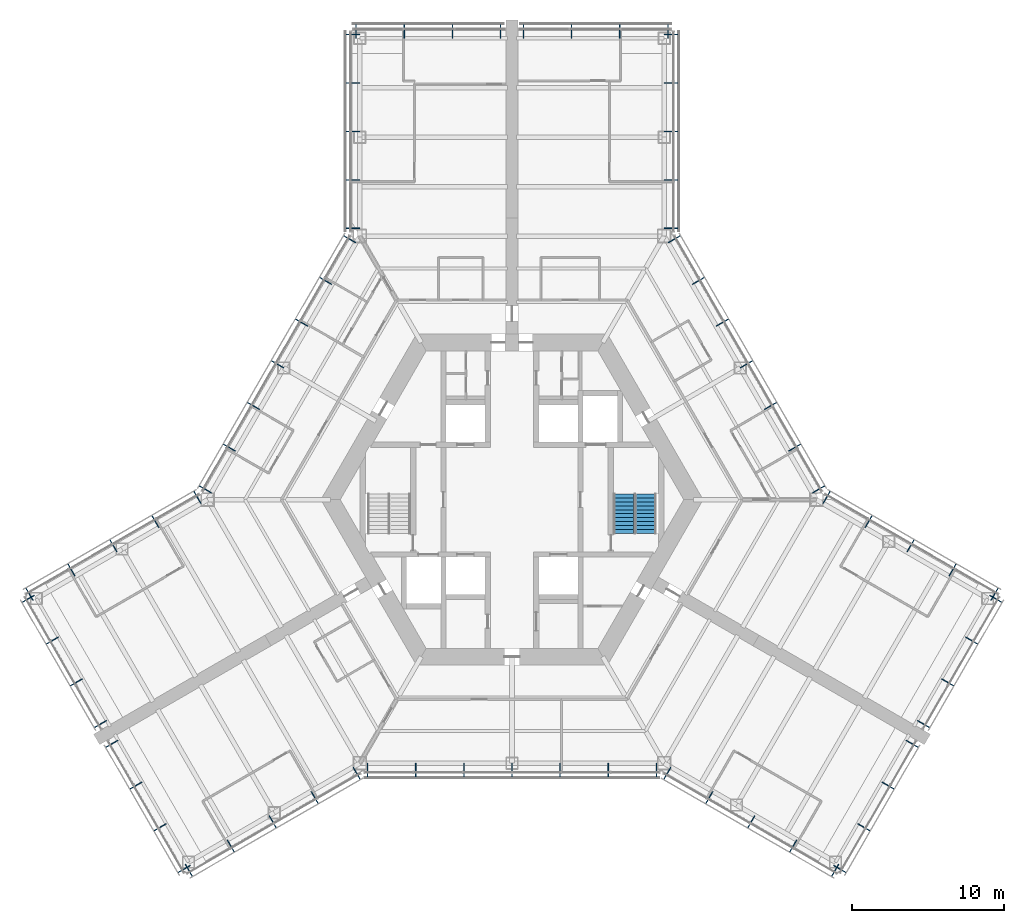
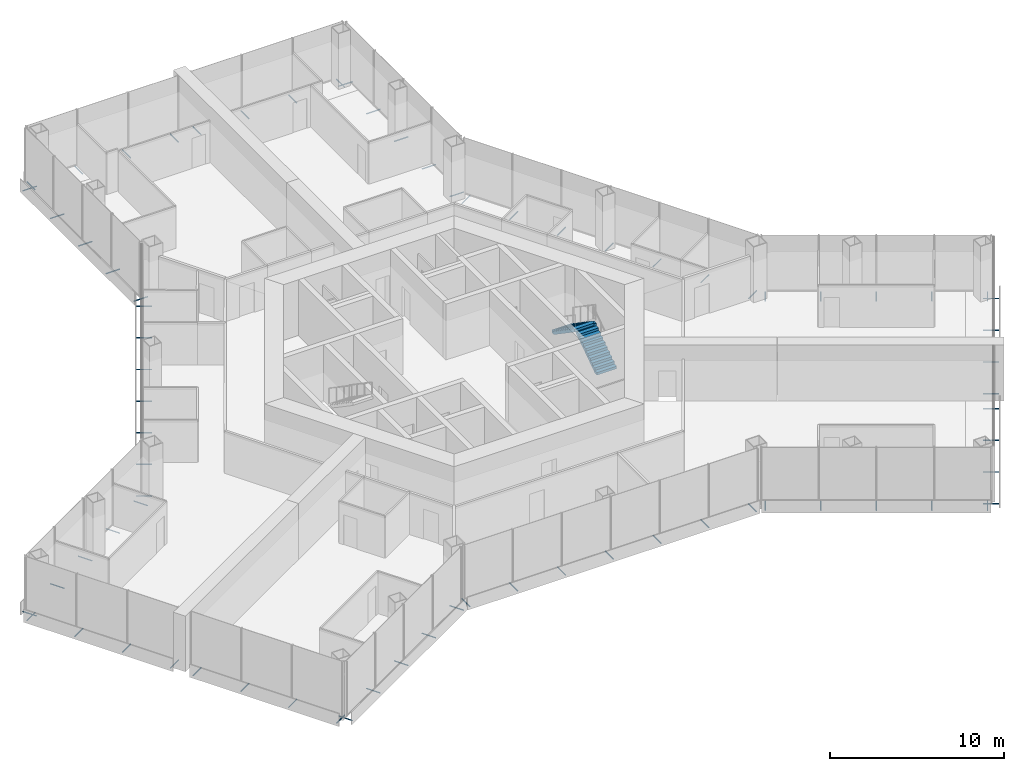
# One storey, part 16 of 18: 75 discrete accessories, 2 stair flights, 1 element without a shape of its own.
"""IFC4 building model written with IfcOpenShell, lengths in metres."""

from ifc_helpers import new_model, si_unit, direction, frame, origin, origin_2d, place, context, subcontext, project, spatial, polyline, hollow_circle, outline, extrude, material, material_profile, profile_set, type_object, element, aggregate, save


model = new_model("IFC4")

# Units and contexts
model_context = context("Model", 3, precision=1e-05, world=origin(), true_north=direction((0.0, 1.0)))
body_context = subcontext(model_context, "Body", "Model", "MODEL_VIEW")
ifc_project = project(units=[si_unit("LENGTHUNIT", "METRE"), si_unit("AREAUNIT", "SQUARE_METRE"), si_unit("VOLUMEUNIT", "CUBIC_METRE"), si_unit("PLANEANGLEUNIT", "RADIAN"), si_unit("MASSUNIT", "GRAM", prefix="KILO")], contexts=[model_context])

# Site, building, storey
site_placement = place(None, origin())
site = spatial("IfcSite", under=ifc_project, at=site_placement, CompositionType="ELEMENT")
building_placement = place(site_placement, origin())
building = spatial("IfcBuilding", under=site, at=building_placement, Name="Kasaneha Research Tower", CompositionType="ELEMENT")
storey_placement = place(building_placement, frame((0.0, 0.0, 65.10009765625)))
storey = spatial("IfcBuildingStorey", under=building, at=storey_placement, Name="L16", CompositionType="ELEMENT", Elevation=65.10009765625)

# Stair, stair flights
ifc_material_1 = material(Name="Concrete Fc24", Category="concrete")
stair_type = type_object("IfcStairType", Name="Half-turn stair 22 risers", PredefinedType="HALF_TURN_STAIR", material=ifc_material_1)
stair_placement = place(storey_placement, origin())
stair = element("IfcStair", 1, at=stair_placement, inside=storey, type_object=stair_type, Name="Stair 1 L16", PredefinedType="HALF_TURN_STAIR")
ifc_material_2 = material(Name="Concrete Fc24", Category="concrete")
stair_flight_type = type_object("IfcStairFlightType", Name="Stair flight 11 risers 177.3", PredefinedType="STRAIGHT", material=ifc_material_2)
stair_flight_1_placement = place(storey_placement, frame((8.824951171875, -2.22509765625, 0.0), z_axis=(0.0, 0.0, 1.0), x_axis=(0.0, 1.0, 0.0)))
stair_flight_1 = element("IfcStairFlight", 2, at=stair_flight_1_placement, type_object=stair_flight_type, Name="ST1-22R flight 1", NumberOfRisers=11, NumberOfTreads=10, PredefinedType="STRAIGHT", RiserHeight=0.177272727, TreadLength=0.26, context=body_context, shape_type="SweptSolid", body=[
    extrude(outline(polyline([(0.0, 0.0), (0.0, 0.17724609375), (0.260009765625, 0.17724609375), (0.260009765625, 0.3544921875), (0.52001953125, 0.3544921875), (0.52001953125, 0.53173828125), (0.780029296875, 0.53173828125), (0.780029296875, 0.708984375), (1.0400390625, 0.708984375), (1.0400390625, 0.886474609375), (1.300048828125, 0.886474609375), (1.300048828125, 1.063720703125), (1.56005859375, 1.063720703125), (1.56005859375, 1.240966796875), (1.820068359375, 1.240966796875), (1.820068359375, 1.418212890625), (2.080078125, 1.418212890625), (2.080078125, 1.595458984375), (2.340087890625, 1.595458984375), (2.340087890625, 1.772705078125), (2.60009765625, 1.772705078125), (2.60009765625, 1.949951171875), (2.60009765625, 1.59130859375), (0.26611328125, 0.0), (0.0, 0.0)])), frame((0.0, 0.64990234375, 0.0), z_axis=(0.0, -1.0, 0.0), x_axis=(1.0, 0.0, 0.0)), (0.0, 0.0, 1.0), 1.300048828125),
])
stair_flight_2_placement = place(storey_placement, frame((7.324951171875, 0.375, 1.949951171875), z_axis=(0.0, 0.0, 1.0), x_axis=(0.0, -1.0, 0.0)))
stair_flight_2 = element("IfcStairFlight", 3, at=stair_flight_2_placement, type_object=stair_flight_type, Name="ST1-22R flight 2", NumberOfRisers=11, NumberOfTreads=10, PredefinedType="STRAIGHT", RiserHeight=0.177272727, TreadLength=0.26, context=body_context, shape_type="SweptSolid", body=[
    extrude(outline(polyline([(0.0, 0.0), (0.0, 0.17724609375), (0.260009765625, 0.17724609375), (0.260009765625, 0.3544921875), (0.52001953125, 0.3544921875), (0.52001953125, 0.53173828125), (0.780029296875, 0.53173828125), (0.780029296875, 0.708984375), (1.0400390625, 0.708984375), (1.0400390625, 0.886474609375), (1.300048828125, 0.886474609375), (1.300048828125, 1.063720703125), (1.56005859375, 1.063720703125), (1.56005859375, 1.240966796875), (1.820068359375, 1.240966796875), (1.820068359375, 1.418212890625), (2.080078125, 1.418212890625), (2.080078125, 1.595458984375), (2.340087890625, 1.595458984375), (2.340087890625, 1.772705078125), (2.60009765625, 1.772705078125), (2.60009765625, 1.949951171875), (2.60009765625, 1.59130859375), (0.26611328125, 0.0), (0.0, 0.0)])), frame((0.0, 0.64990234375, 0.0), z_axis=(0.0, -1.0, 0.0), x_axis=(1.0, 0.0, 0.0)), (0.0, 0.0, 1.0), 1.300048828125),
])
aggregate(stair, [stair_flight_1, stair_flight_2])

# Discrete accessories
ifc_material_3 = material(Name="Steel STK400", Category="steel")
ifc_material_profile = material_profile(ifc_material_3, hollow_circle(Radius=0.0380859375, WallThickness=0.00390625, at=origin_2d()), Name="CHS-76.3x4.0")
ifc_profile_set = profile_set([ifc_material_profile], Name="Steel STK400")
discrete_accessory_type = type_object("IfcDiscreteAccessoryType", Name="Screen bracket CHS-76.3x4.0", PredefinedType="BRACKET", material=ifc_profile_set)
discrete_accessory_1_placement = place(storey_placement, frame((-21.474853515625, -23.945556640625, -0.300048828125), z_axis=(0.500021113727, -0.866013213425, 0.0), x_axis=(0.866013213425, 0.500021113727, 0.0)))
element("IfcDiscreteAccessory", 4, at=discrete_accessory_1_placement, inside=storey, type_object=discrete_accessory_type, Name="Screen bracket 1", PredefinedType="BRACKET", context=body_context, shape_type="SweptSolid", body=[
    extrude(hollow_circle(Radius=0.0380859375, WallThickness=0.00390625, at=origin_2d()), origin(), (0.0, 0.0, 1.0), 0.919921875),
])
discrete_accessory_2_placement = place(storey_placement, frame((-18.716796875, -22.35302734375, -0.300048828125), z_axis=(0.500105201737, -0.865964657013, 0.0), x_axis=(0.865964657013, 0.500105201737, 0.0)))
element("IfcDiscreteAccessory", 5, at=discrete_accessory_2_placement, inside=storey, type_object=discrete_accessory_type, Name="Screen bracket 2", PredefinedType="BRACKET", context=body_context, shape_type="SweptSolid", body=[
    extrude(hollow_circle(Radius=0.0380859375, WallThickness=0.00390625, at=origin_2d()), origin(), (0.0, 0.0, 1.0), 0.920166015625),
])
discrete_accessory_3_placement = place(storey_placement, frame((-15.95849609375, -20.7607421875, -0.300048828125), z_axis=(0.500021113727, -0.866013213425, 0.0), x_axis=(0.866013213425, 0.500021113727, 0.0)))
element("IfcDiscreteAccessory", 6, at=discrete_accessory_3_placement, inside=storey, type_object=discrete_accessory_type, Name="Screen bracket 3", PredefinedType="BRACKET", context=body_context, shape_type="SweptSolid", body=[
    extrude(hollow_circle(Radius=0.0380859375, WallThickness=0.00390625, at=origin_2d()), origin(), (0.0, 0.0, 1.0), 0.919921875),
])
discrete_accessory_4_placement = place(storey_placement, frame((-13.200439453125, -19.168212890625, -0.300048828125), z_axis=(0.499906209203, -0.866079547155, 0.0), x_axis=(0.866079547155, 0.499906209203, 0.0)))
element("IfcDiscreteAccessory", 7, at=discrete_accessory_4_placement, inside=storey, type_object=discrete_accessory_type, Name="Screen bracket 4", PredefinedType="BRACKET", context=body_context, shape_type="SweptSolid", body=[
    extrude(hollow_circle(Radius=0.0380859375, WallThickness=0.00390625, at=origin_2d()), origin(), (0.0, 0.0, 1.0), 0.920166015625),
])
for number, where, z_axis, x_axis, name in (
    (8, (-10.4423828125, -17.575927734375, -0.300048828125), (0.500021113727, -0.866013213425, 0.0), (0.866013213425, 0.500021113727, 0.0), "Screen bracket 5"),
    (9, (-9.4892578125, -17.320556640625, -0.300048828125), (0.0, -1.0, 0.0), (1.0, 0.0, 0.0), "Screen bracket 1"),
    (10, (-6.326171875, -17.320556640625, -0.300048828125), (0.0, -1.0, 0.0), (1.0, 0.0, 0.0), "Screen bracket 2"),
    (11, (-3.1630859375, -17.320556640625, -0.300048828125), (0.0, -1.0, 0.0), (1.0, 0.0, 0.0), "Screen bracket 3"),
    (12, (0.0, -17.320556640625, -0.300048828125), (0.0, -1.0, 0.0), (1.0, 0.0, 0.0), "Screen bracket 4"),
    (13, (3.1630859375, -17.320556640625, -0.300048828125), (0.0, -1.0, 0.0), (1.0, 0.0, 0.0), "Screen bracket 5"),
    (14, (6.326171875, -17.320556640625, -0.300048828125), (0.0, -1.0, 0.0), (1.0, 0.0, 0.0), "Screen bracket 6"),
    (15, (9.4892578125, -17.320556640625, -0.300048828125), (0.0, -1.0, 0.0), (1.0, 0.0, 0.0), "Screen bracket 7"),
    (16, (10.4423828125, -17.575927734375, -0.300048828125), (-0.500021113727, -0.866013213425, 0.0), (0.866013213425, -0.500021113727, 0.0), "Screen bracket 1"),
):
    element("IfcDiscreteAccessory", number, at=place(storey_placement, frame(where, z_axis=z_axis, x_axis=x_axis)), inside=storey, type_object=discrete_accessory_type, Name=name, PredefinedType="BRACKET", context=body_context, shape_type="SweptSolid", body=[
        extrude(hollow_circle(Radius=0.0380859375, WallThickness=0.00390625, at=origin_2d()), origin(), (0.0, 0.0, 1.0), 0.919921875),
    ])
discrete_accessory_5_placement = place(storey_placement, frame((13.200439453125, -19.168212890625, -0.300048828125), z_axis=(-0.499906209203, -0.866079547155, 0.0), x_axis=(0.866079547155, -0.499906209203, 0.0)))
element("IfcDiscreteAccessory", 17, at=discrete_accessory_5_placement, inside=storey, type_object=discrete_accessory_type, Name="Screen bracket 2", PredefinedType="BRACKET", context=body_context, shape_type="SweptSolid", body=[
    extrude(hollow_circle(Radius=0.0380859375, WallThickness=0.00390625, at=origin_2d()), origin(), (0.0, 0.0, 1.0), 0.920166015625),
])
discrete_accessory_6_placement = place(storey_placement, frame((15.95849609375, -20.7607421875, -0.300048828125), z_axis=(-0.500021113727, -0.866013213425, 0.0), x_axis=(0.866013213425, -0.500021113727, 0.0)))
element("IfcDiscreteAccessory", 18, at=discrete_accessory_6_placement, inside=storey, type_object=discrete_accessory_type, Name="Screen bracket 3", PredefinedType="BRACKET", context=body_context, shape_type="SweptSolid", body=[
    extrude(hollow_circle(Radius=0.0380859375, WallThickness=0.00390625, at=origin_2d()), origin(), (0.0, 0.0, 1.0), 0.919921875),
])
discrete_accessory_7_placement = place(storey_placement, frame((18.716796875, -22.35302734375, -0.300048828125), z_axis=(-0.500105201737, -0.865964657013, 0.0), x_axis=(0.865964657013, -0.500105201737, 0.0)))
element("IfcDiscreteAccessory", 19, at=discrete_accessory_7_placement, inside=storey, type_object=discrete_accessory_type, Name="Screen bracket 4", PredefinedType="BRACKET", context=body_context, shape_type="SweptSolid", body=[
    extrude(hollow_circle(Radius=0.0380859375, WallThickness=0.00390625, at=origin_2d()), origin(), (0.0, 0.0, 1.0), 0.920166015625),
])
discrete_accessory_8_placement = place(storey_placement, frame((21.474853515625, -23.945556640625, -0.300048828125), z_axis=(-0.500021113727, -0.866013213425, 0.0), x_axis=(0.866013213425, -0.500021113727, 0.0)))
element("IfcDiscreteAccessory", 20, at=discrete_accessory_8_placement, inside=storey, type_object=discrete_accessory_type, Name="Screen bracket 5", PredefinedType="BRACKET", context=body_context, shape_type="SweptSolid", body=[
    extrude(hollow_circle(Radius=0.0380859375, WallThickness=0.00390625, at=origin_2d()), origin(), (0.0, 0.0, 1.0), 0.919921875),
])
for number, where, z_axis, x_axis, name in (
    (21, (21.13330078125, -24.037109375, -0.300048828125), (0.866079547155, -0.499906209203, 0.0), (0.499906209203, 0.866079547155, 0.0), "Screen bracket 1"),
    (22, (22.716552734375, -21.294677734375, -0.300048828125), (0.866079547155, -0.499906209203, 0.0), (0.499906209203, 0.866079547155, 0.0), "Screen bracket 2"),
):
    element("IfcDiscreteAccessory", number, at=place(storey_placement, frame(where, z_axis=z_axis, x_axis=x_axis)), inside=storey, type_object=discrete_accessory_type, Name=name, PredefinedType="BRACKET", context=body_context, shape_type="SweptSolid", body=[
        extrude(hollow_circle(Radius=0.0380859375, WallThickness=0.00390625, at=origin_2d()), origin(), (0.0, 0.0, 1.0), 0.920166015625),
    ])
discrete_accessory_9_placement = place(storey_placement, frame((24.300048828125, -18.55224609375, -0.300048828125), z_axis=(0.866013213425, -0.500021113727, 0.0), x_axis=(0.500021113727, 0.866013213425, 0.0)))
element("IfcDiscreteAccessory", 23, at=discrete_accessory_9_placement, inside=storey, type_object=discrete_accessory_type, Name="Screen bracket 3", PredefinedType="BRACKET", context=body_context, shape_type="SweptSolid", body=[
    extrude(hollow_circle(Radius=0.0380859375, WallThickness=0.00390625, at=origin_2d()), origin(), (0.0, 0.0, 1.0), 0.919921875),
])
for number, where, z_axis, x_axis, name in (
    (24, (25.88330078125, -15.809814453125, -0.300048828125), (0.866079547155, -0.499906209203, 0.0), (0.499906209203, 0.866079547155, 0.0), "Screen bracket 4"),
    (25, (26.63330078125, -14.5107421875, -0.300048828125), (0.866079547155, -0.499906209203, 0.0), (0.499906209203, 0.866079547155, 0.0), "Screen bracket 1"),
    (26, (28.216552734375, -11.768310546875, -0.300048828125), (0.866079547155, -0.499906209203, 0.0), (0.499906209203, 0.866079547155, 0.0), "Screen bracket 2"),
):
    element("IfcDiscreteAccessory", number, at=place(storey_placement, frame(where, z_axis=z_axis, x_axis=x_axis)), inside=storey, type_object=discrete_accessory_type, Name=name, PredefinedType="BRACKET", context=body_context, shape_type="SweptSolid", body=[
        extrude(hollow_circle(Radius=0.0380859375, WallThickness=0.00390625, at=origin_2d()), origin(), (0.0, 0.0, 1.0), 0.920166015625),
    ])
discrete_accessory_10_placement = place(storey_placement, frame((29.800048828125, -9.02587890625, -0.300048828125), z_axis=(0.866013213425, -0.500021113727, 0.0), x_axis=(0.500021113727, 0.866013213425, 0.0)))
element("IfcDiscreteAccessory", 27, at=discrete_accessory_10_placement, inside=storey, type_object=discrete_accessory_type, Name="Screen bracket 3", PredefinedType="BRACKET", context=body_context, shape_type="SweptSolid", body=[
    extrude(hollow_circle(Radius=0.0380859375, WallThickness=0.00390625, at=origin_2d()), origin(), (0.0, 0.0, 1.0), 0.919921875),
])
discrete_accessory_11_placement = place(storey_placement, frame((31.38330078125, -6.283447265625, -0.300048828125), z_axis=(0.866079547155, -0.499906209203, 0.0), x_axis=(0.499906209203, 0.866079547155, 0.0)))
element("IfcDiscreteAccessory", 28, at=discrete_accessory_11_placement, inside=storey, type_object=discrete_accessory_type, Name="Screen bracket 4", PredefinedType="BRACKET", context=body_context, shape_type="SweptSolid", body=[
    extrude(hollow_circle(Radius=0.0380859375, WallThickness=0.00390625, at=origin_2d()), origin(), (0.0, 0.0, 1.0), 0.920166015625),
])
discrete_accessory_12_placement = place(storey_placement, frame((31.474853515625, -6.625, -0.300048828125), z_axis=(0.500021113727, 0.866013213425, 0.0), x_axis=(-0.866013213425, 0.500021113727, 0.0)))
element("IfcDiscreteAccessory", 29, at=discrete_accessory_12_placement, inside=storey, type_object=discrete_accessory_type, Name="Screen bracket 1", PredefinedType="BRACKET", context=body_context, shape_type="SweptSolid", body=[
    extrude(hollow_circle(Radius=0.0380859375, WallThickness=0.00390625, at=origin_2d()), origin(), (0.0, 0.0, 1.0), 0.919921875),
])
discrete_accessory_13_placement = place(storey_placement, frame((28.716796875, -5.03271484375, -0.300048828125), z_axis=(0.499906209203, 0.866079547155, 0.0), x_axis=(-0.866079547155, 0.499906209203, 0.0)))
element("IfcDiscreteAccessory", 30, at=discrete_accessory_13_placement, inside=storey, type_object=discrete_accessory_type, Name="Screen bracket 2", PredefinedType="BRACKET", context=body_context, shape_type="SweptSolid", body=[
    extrude(hollow_circle(Radius=0.0380859375, WallThickness=0.00390625, at=origin_2d()), origin(), (0.0, 0.0, 1.0), 0.920166015625),
])
discrete_accessory_14_placement = place(storey_placement, frame((25.95849609375, -3.440185546875, -0.300048828125), z_axis=(0.500220121494, 0.865898279276, 0.0), x_axis=(-0.865898279276, 0.500220121494, 0.0)))
element("IfcDiscreteAccessory", 31, at=discrete_accessory_14_placement, inside=storey, type_object=discrete_accessory_type, Name="Screen bracket 3", PredefinedType="BRACKET", context=body_context, shape_type="SweptSolid", body=[
    extrude(hollow_circle(Radius=0.0380859375, WallThickness=0.00390625, at=origin_2d()), origin(), (0.0, 0.0, 1.0), 0.919921875),
])
discrete_accessory_15_placement = place(storey_placement, frame((23.200439453125, -1.847900390625, -0.300048828125), z_axis=(0.499906209203, 0.866079547155, 0.0), x_axis=(-0.866079547155, 0.499906209203, 0.0)))
element("IfcDiscreteAccessory", 32, at=discrete_accessory_15_placement, inside=storey, type_object=discrete_accessory_type, Name="Screen bracket 4", PredefinedType="BRACKET", context=body_context, shape_type="SweptSolid", body=[
    extrude(hollow_circle(Radius=0.0380859375, WallThickness=0.00390625, at=origin_2d()), origin(), (0.0, 0.0, 1.0), 0.920166015625),
])
for number, where, z_axis, x_axis, name in (
    (33, (20.4423828125, -0.25537109375, -0.300048828125), (0.500021113727, 0.866013213425, 0.0), (-0.866013213425, 0.500021113727, 0.0), "Screen bracket 5"),
    (34, (19.74462890625, 0.4423828125, -0.300048828125), (0.866013213425, 0.500021113727, 0.0), (-0.500021113727, 0.866013213425, 0.0), "Screen bracket 1"),
    (35, (18.1630859375, 3.181640625, -0.300048828125), (0.866013213425, 0.500021113727, 0.0), (-0.500021113727, 0.866013213425, 0.0), "Screen bracket 2"),
    (36, (16.58154296875, 5.9208984375, -0.300048828125), (0.866013213425, 0.500021113727, 0.0), (-0.500021113727, 0.866013213425, 0.0), "Screen bracket 3"),
    (37, (15.0, 8.66015625, -0.300048828125), (0.865898279276, 0.500220121494, 0.0), (-0.500220121494, 0.865898279276, 0.0), "Screen bracket 4"),
    (38, (13.41845703125, 11.399658203125, -0.300048828125), (0.866013213425, 0.500021113727, 0.0), (-0.500021113727, 0.866013213425, 0.0), "Screen bracket 5"),
    (39, (11.8369140625, 14.138916015625, -0.300048828125), (0.866013213425, 0.500021113727, 0.0), (-0.500021113727, 0.866013213425, 0.0), "Screen bracket 6"),
):
    element("IfcDiscreteAccessory", number, at=place(storey_placement, frame(where, z_axis=z_axis, x_axis=x_axis)), inside=storey, type_object=discrete_accessory_type, Name=name, PredefinedType="BRACKET", context=body_context, shape_type="SweptSolid", body=[
        extrude(hollow_circle(Radius=0.0380859375, WallThickness=0.00390625, at=origin_2d()), origin(), (0.0, 0.0, 1.0), 0.919921875),
    ])
discrete_accessory_16_placement = place(storey_placement, frame((10.25537109375, 16.878173828125, -0.300048828125), z_axis=(0.866079547155, 0.499906209203, 0.0), x_axis=(-0.499906209203, 0.866079547155, 0.0)))
element("IfcDiscreteAccessory", 40, at=discrete_accessory_16_placement, inside=storey, type_object=discrete_accessory_type, Name="Screen bracket 7", PredefinedType="BRACKET", context=body_context, shape_type="SweptSolid", body=[
    extrude(hollow_circle(Radius=0.0380859375, WallThickness=0.00390625, at=origin_2d()), origin(), (0.0, 0.0, 1.0), 0.920166015625),
])
for number, where, z_axis, x_axis, name in (
    (41, (10.0, 17.831298828125, -0.300048828125), (1.0, 0.0, 0.0), (0.0, 1.0, 0.0), "Screen bracket 1"),
    (42, (10.0, 21.01611328125, -0.300048828125), (1.0, 0.0, 0.0), (0.0, 1.0, 0.0), "Screen bracket 2"),
    (43, (10.0, 24.200927734375, -0.300048828125), (1.0, 0.0, 0.0), (0.0, 1.0, 0.0), "Screen bracket 3"),
    (44, (10.0, 27.3857421875, -0.300048828125), (1.0, 0.0, 0.0), (0.0, 1.0, 0.0), "Screen bracket 4"),
    (45, (10.0, 30.570556640625, -0.300048828125), (1.0, 0.0, 0.0), (0.0, 1.0, 0.0), "Screen bracket 5"),
    (46, (10.25, 30.320556640625, -0.300048828125), (0.0, 1.0, 0.0), (-1.0, 0.0, 0.0), "Screen bracket 1"),
    (47, (7.083251953125, 30.320556640625, -0.300048828125), (0.0, 1.0, 0.0), (-1.0, 0.0, 0.0), "Screen bracket 2"),
    (48, (3.916748046875, 30.320556640625, -0.300048828125), (0.0, 1.0, 0.0), (-1.0, 0.0, 0.0), "Screen bracket 3"),
    (49, (0.75, 30.320556640625, -0.300048828125), (0.0, 1.0, 0.0), (-1.0, 0.0, 0.0), "Screen bracket 4"),
    (50, (-0.75, 30.320556640625, -0.300048828125), (0.0, 1.0, 0.0), (-1.0, 0.0, 0.0), "Screen bracket 1"),
    (51, (-3.916748046875, 30.320556640625, -0.300048828125), (0.0, 1.0, 0.0), (-1.0, 0.0, 0.0), "Screen bracket 2"),
    (52, (-7.083251953125, 30.320556640625, -0.300048828125), (0.0, 1.0, 0.0), (-1.0, 0.0, 0.0), "Screen bracket 3"),
    (53, (-10.25, 30.320556640625, -0.300048828125), (0.0, 1.0, 0.0), (-1.0, 0.0, 0.0), "Screen bracket 4"),
    (54, (-10.0, 30.570556640625, -0.300048828125), (-1.0, 0.0, 0.0), (0.0, -1.0, 0.0), "Screen bracket 1"),
    (55, (-10.0, 27.3857421875, -0.300048828125), (-1.0, 0.0, 0.0), (0.0, -1.0, 0.0), "Screen bracket 2"),
    (56, (-10.0, 24.200927734375, -0.300048828125), (-1.0, 0.0, 0.0), (0.0, -1.0, 0.0), "Screen bracket 3"),
    (57, (-10.0, 21.01611328125, -0.300048828125), (-1.0, 0.0, 0.0), (0.0, -1.0, 0.0), "Screen bracket 4"),
    (58, (-10.0, 17.831298828125, -0.300048828125), (-1.0, 0.0, 0.0), (0.0, -1.0, 0.0), "Screen bracket 5"),
):
    element("IfcDiscreteAccessory", number, at=place(storey_placement, frame(where, z_axis=z_axis, x_axis=x_axis)), inside=storey, type_object=discrete_accessory_type, Name=name, PredefinedType="BRACKET", context=body_context, shape_type="SweptSolid", body=[
        extrude(hollow_circle(Radius=0.0380859375, WallThickness=0.00390625, at=origin_2d()), origin(), (0.0, 0.0, 1.0), 0.919921875),
    ])
discrete_accessory_17_placement = place(storey_placement, frame((-10.25537109375, 16.878173828125, -0.300048828125), z_axis=(-0.866079547155, 0.499906209203, 0.0), x_axis=(-0.499906209203, -0.866079547155, 0.0)))
element("IfcDiscreteAccessory", 59, at=discrete_accessory_17_placement, inside=storey, type_object=discrete_accessory_type, Name="Screen bracket 1", PredefinedType="BRACKET", context=body_context, shape_type="SweptSolid", body=[
    extrude(hollow_circle(Radius=0.0380859375, WallThickness=0.00390625, at=origin_2d()), origin(), (0.0, 0.0, 1.0), 0.920166015625),
])
for number, where, z_axis, x_axis, name in (
    (60, (-11.8369140625, 14.138916015625, -0.300048828125), (-0.866013213425, 0.500021113727, 0.0), (-0.500021113727, -0.866013213425, 0.0), "Screen bracket 2"),
    (61, (-13.41845703125, 11.399658203125, -0.300048828125), (-0.866013213425, 0.500021113727, 0.0), (-0.500021113727, -0.866013213425, 0.0), "Screen bracket 3"),
    (62, (-15.0, 8.66015625, -0.300048828125), (-0.865898279276, 0.500220121494, 0.0), (-0.500220121494, -0.865898279276, 0.0), "Screen bracket 4"),
    (63, (-16.58154296875, 5.9208984375, -0.300048828125), (-0.866013213425, 0.500021113727, 0.0), (-0.500021113727, -0.866013213425, 0.0), "Screen bracket 5"),
    (64, (-18.1630859375, 3.181640625, -0.300048828125), (-0.866013213425, 0.500021113727, 0.0), (-0.500021113727, -0.866013213425, 0.0), "Screen bracket 6"),
    (65, (-19.74462890625, 0.4423828125, -0.300048828125), (-0.866013213425, 0.500021113727, 0.0), (-0.500021113727, -0.866013213425, 0.0), "Screen bracket 7"),
    (66, (-20.4423828125, -0.25537109375, -0.300048828125), (-0.500021113727, 0.866013213425, 0.0), (-0.866013213425, -0.500021113727, 0.0), "Screen bracket 1"),
):
    element("IfcDiscreteAccessory", number, at=place(storey_placement, frame(where, z_axis=z_axis, x_axis=x_axis)), inside=storey, type_object=discrete_accessory_type, Name=name, PredefinedType="BRACKET", context=body_context, shape_type="SweptSolid", body=[
        extrude(hollow_circle(Radius=0.0380859375, WallThickness=0.00390625, at=origin_2d()), origin(), (0.0, 0.0, 1.0), 0.919921875),
    ])
discrete_accessory_18_placement = place(storey_placement, frame((-23.200439453125, -1.847900390625, -0.300048828125), z_axis=(-0.499906209203, 0.866079547155, 0.0), x_axis=(-0.866079547155, -0.499906209203, 0.0)))
element("IfcDiscreteAccessory", 67, at=discrete_accessory_18_placement, inside=storey, type_object=discrete_accessory_type, Name="Screen bracket 2", PredefinedType="BRACKET", context=body_context, shape_type="SweptSolid", body=[
    extrude(hollow_circle(Radius=0.0380859375, WallThickness=0.00390625, at=origin_2d()), origin(), (0.0, 0.0, 1.0), 0.920166015625),
])
discrete_accessory_19_placement = place(storey_placement, frame((-25.95849609375, -3.440185546875, -0.300048828125), z_axis=(-0.500220121494, 0.865898279276, 0.0), x_axis=(-0.865898279276, -0.500220121494, 0.0)))
element("IfcDiscreteAccessory", 68, at=discrete_accessory_19_placement, inside=storey, type_object=discrete_accessory_type, Name="Screen bracket 3", PredefinedType="BRACKET", context=body_context, shape_type="SweptSolid", body=[
    extrude(hollow_circle(Radius=0.0380859375, WallThickness=0.00390625, at=origin_2d()), origin(), (0.0, 0.0, 1.0), 0.919921875),
])
discrete_accessory_20_placement = place(storey_placement, frame((-28.716796875, -5.03271484375, -0.300048828125), z_axis=(-0.499906209203, 0.866079547155, 0.0), x_axis=(-0.866079547155, -0.499906209203, 0.0)))
element("IfcDiscreteAccessory", 69, at=discrete_accessory_20_placement, inside=storey, type_object=discrete_accessory_type, Name="Screen bracket 4", PredefinedType="BRACKET", context=body_context, shape_type="SweptSolid", body=[
    extrude(hollow_circle(Radius=0.0380859375, WallThickness=0.00390625, at=origin_2d()), origin(), (0.0, 0.0, 1.0), 0.920166015625),
])
discrete_accessory_21_placement = place(storey_placement, frame((-31.474853515625, -6.625, -0.300048828125), z_axis=(-0.500021113727, 0.866013213425, 0.0), x_axis=(-0.866013213425, -0.500021113727, 0.0)))
element("IfcDiscreteAccessory", 70, at=discrete_accessory_21_placement, inside=storey, type_object=discrete_accessory_type, Name="Screen bracket 5", PredefinedType="BRACKET", context=body_context, shape_type="SweptSolid", body=[
    extrude(hollow_circle(Radius=0.0380859375, WallThickness=0.00390625, at=origin_2d()), origin(), (0.0, 0.0, 1.0), 0.919921875),
])
discrete_accessory_22_placement = place(storey_placement, frame((-31.38330078125, -6.283447265625, -0.300048828125), z_axis=(-0.866079547155, -0.499906209203, 0.0), x_axis=(0.499906209203, -0.866079547155, 0.0)))
element("IfcDiscreteAccessory", 71, at=discrete_accessory_22_placement, inside=storey, type_object=discrete_accessory_type, Name="Screen bracket 1", PredefinedType="BRACKET", context=body_context, shape_type="SweptSolid", body=[
    extrude(hollow_circle(Radius=0.0380859375, WallThickness=0.00390625, at=origin_2d()), origin(), (0.0, 0.0, 1.0), 0.920166015625),
])
discrete_accessory_23_placement = place(storey_placement, frame((-29.800048828125, -9.02587890625, -0.300048828125), z_axis=(-0.866013213425, -0.500021113727, 0.0), x_axis=(0.500021113727, -0.866013213425, 0.0)))
element("IfcDiscreteAccessory", 72, at=discrete_accessory_23_placement, inside=storey, type_object=discrete_accessory_type, Name="Screen bracket 2", PredefinedType="BRACKET", context=body_context, shape_type="SweptSolid", body=[
    extrude(hollow_circle(Radius=0.0380859375, WallThickness=0.00390625, at=origin_2d()), origin(), (0.0, 0.0, 1.0), 0.919921875),
])
for number, where, z_axis, x_axis, name in (
    (73, (-28.216552734375, -11.768310546875, -0.300048828125), (-0.866079547155, -0.499906209203, 0.0), (0.499906209203, -0.866079547155, 0.0), "Screen bracket 3"),
    (74, (-26.63330078125, -14.5107421875, -0.300048828125), (-0.866079547155, -0.499906209203, 0.0), (0.499906209203, -0.866079547155, 0.0), "Screen bracket 4"),
    (75, (-25.88330078125, -15.809814453125, -0.300048828125), (-0.866079547155, -0.499906209203, 0.0), (0.499906209203, -0.866079547155, 0.0), "Screen bracket 1"),
):
    element("IfcDiscreteAccessory", number, at=place(storey_placement, frame(where, z_axis=z_axis, x_axis=x_axis)), inside=storey, type_object=discrete_accessory_type, Name=name, PredefinedType="BRACKET", context=body_context, shape_type="SweptSolid", body=[
        extrude(hollow_circle(Radius=0.0380859375, WallThickness=0.00390625, at=origin_2d()), origin(), (0.0, 0.0, 1.0), 0.920166015625),
    ])
discrete_accessory_24_placement = place(storey_placement, frame((-24.300048828125, -18.55224609375, -0.300048828125), z_axis=(-0.866013213425, -0.500021113727, 0.0), x_axis=(0.500021113727, -0.866013213425, 0.0)))
element("IfcDiscreteAccessory", 76, at=discrete_accessory_24_placement, inside=storey, type_object=discrete_accessory_type, Name="Screen bracket 2", PredefinedType="BRACKET", context=body_context, shape_type="SweptSolid", body=[
    extrude(hollow_circle(Radius=0.0380859375, WallThickness=0.00390625, at=origin_2d()), origin(), (0.0, 0.0, 1.0), 0.919921875),
])
for number, where, z_axis, x_axis, name in (
    (77, (-22.716552734375, -21.294677734375, -0.300048828125), (-0.866079547155, -0.499906209203, 0.0), (0.499906209203, -0.866079547155, 0.0), "Screen bracket 3"),
    (78, (-21.13330078125, -24.037109375, -0.300048828125), (-0.866079547155, -0.499906209203, 0.0), (0.499906209203, -0.866079547155, 0.0), "Screen bracket 4"),
):
    element("IfcDiscreteAccessory", number, at=place(storey_placement, frame(where, z_axis=z_axis, x_axis=x_axis)), inside=storey, type_object=discrete_accessory_type, Name=name, PredefinedType="BRACKET", context=body_context, shape_type="SweptSolid", body=[
        extrude(hollow_circle(Radius=0.0380859375, WallThickness=0.00390625, at=origin_2d()), origin(), (0.0, 0.0, 1.0), 0.920166015625),
    ])

save(model, "model.ifc")
